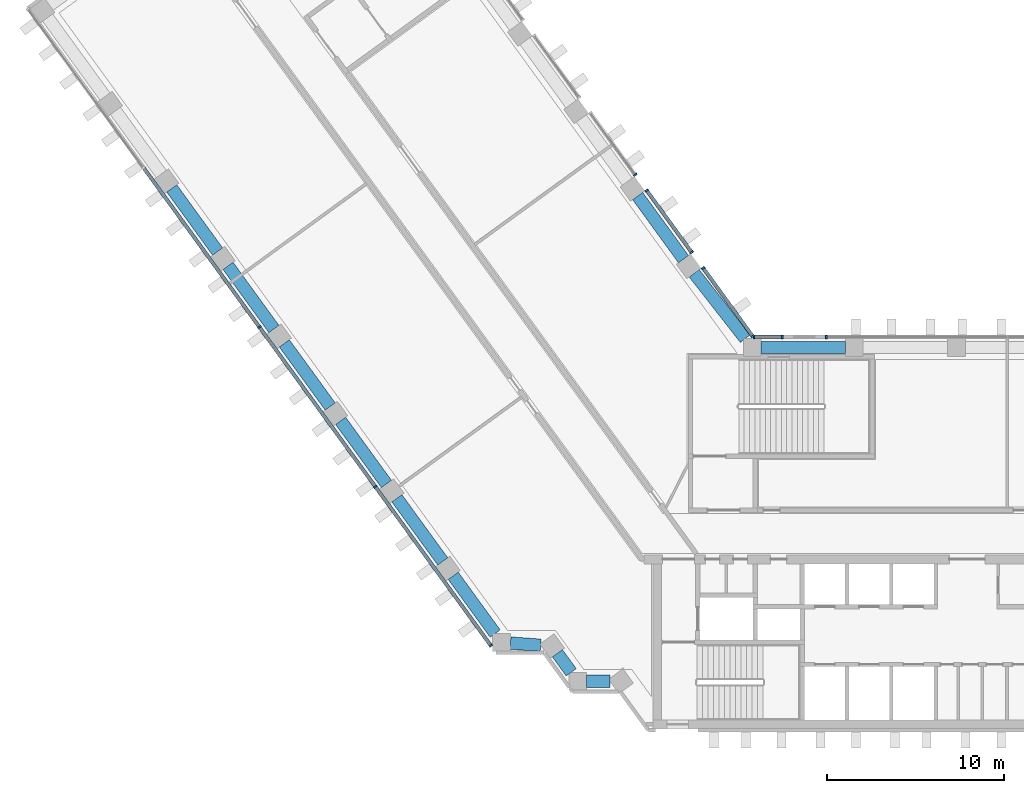
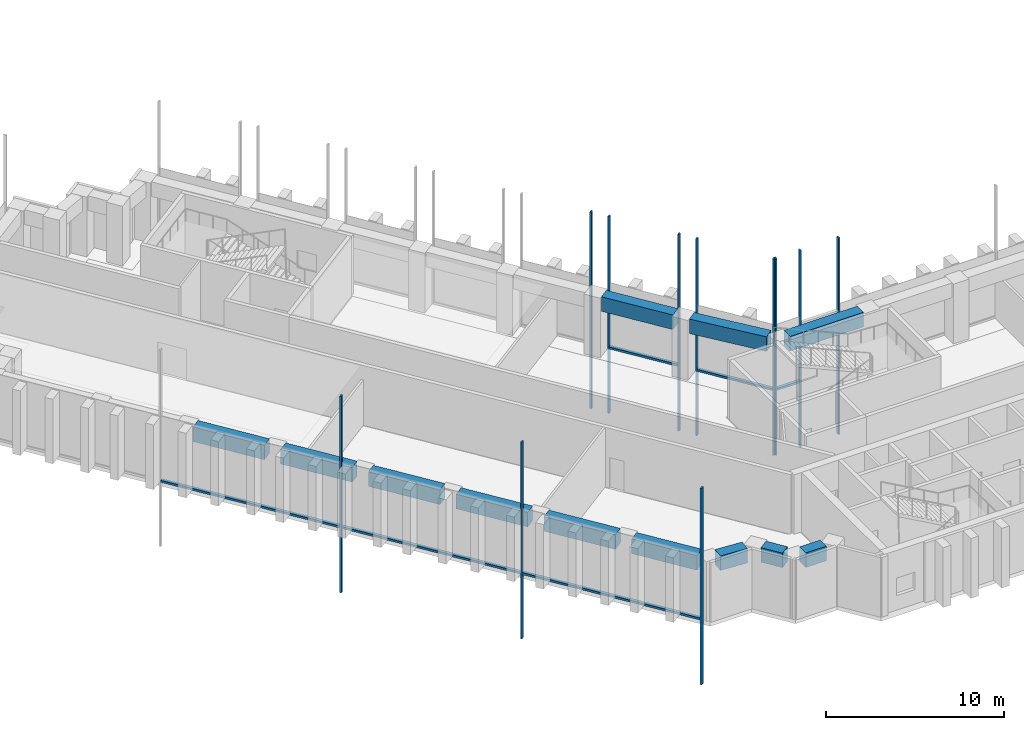
# One storey, part 2 of 18: 17 members, 12 beams, 6 elements without a shape of their own.
"""IFC4 building model written with IfcOpenShell, lengths in metres."""

import ifcopenshell
import ifcopenshell.guid

model = None  # the IFC model being written
_history = None  # IfcOwnerHistory: only IFC2X3 demands one
_inside = {}  # id of a spatial element -> (the spatial element, [elements in it])
_under = {}  # id of a project, library or spatial element -> (it, [spatial elements below it])
_declared = {}  # id of a project -> (the project, [libraries it declares])
_typed = {}  # id of a type object -> (the type object, [elements of that type])
_made_of = {}  # id of a material, layer set ... -> (it, [elements and type objects made of it])


def new_model(schema):
    """Start an empty IFC model of exactly this schema.

    Asked for "IFC4X3", IfcOpenShell would pick the latest addendum, in which some entities
    have other attributes; the version numbers below select the first issue.
    IFC2X3 requires an IfcOwnerHistory on every rooted entity: one is made here for all.
    """
    global model, _history
    if schema == "IFC4X3":
        model = ifcopenshell.file(schema_version=(4, 3, 0, 0))
    else:
        model = ifcopenshell.file(schema=schema)
    _inside.clear()
    _under.clear()
    _declared.clear()
    _typed.clear()
    _made_of.clear()
    _history = None
    if model.schema == "IFC2X3":
        org = make("IfcOrganization", Name="unknown")
        user = make(
            "IfcPersonAndOrganization",
            ThePerson=make("IfcPerson", FamilyName="unknown"),
            TheOrganization=org,
        )
        app = make(
            "IfcApplication",
            ApplicationDeveloper=org,
            Version="unknown",
            ApplicationFullName="unknown",
            ApplicationIdentifier="unknown",
        )
        _history = make(
            "IfcOwnerHistory",
            OwningUser=user,
            OwningApplication=app,
            ChangeAction="ADDED",
            CreationDate=0,
        )
    return model


def make(cls, **values):
    """One entity of the class cls with the attributes given. An attribute that is None is left unset."""
    return model.create_entity(
        cls, **{name: value for name, value in values.items() if value is not None}
    )


def rooted(cls, **values):
    """An entity with a GlobalId (a new one), such as an element, a storey or a relation."""
    return make(cls, GlobalId=ifcopenshell.guid.new(), OwnerHistory=_history, **values)


def si_unit(unit_type, name, prefix=None):
    """IfcSIUnit, for example si_unit("LENGTHUNIT", "METRE", prefix="MILLI")."""
    return make("IfcSIUnit", UnitType=unit_type, Prefix=prefix, Name=name)


def assignment(units):
    """IfcUnitAssignment: the units of a project."""
    return None if units is None else make("IfcUnitAssignment", Units=units)


def point(xyz):
    """IfcCartesianPoint."""
    return None if xyz is None else make("IfcCartesianPoint", Coordinates=xyz)


def direction(xyz):
    """IfcDirection."""
    return None if xyz is None else make("IfcDirection", DirectionRatios=xyz)


def frame(location, z_axis=None, x_axis=None):
    """IfcAxis2Placement3D, a coordinate frame: its origin and axes. An axis left out is left unset."""
    return make(
        "IfcAxis2Placement3D",
        Location=point(location),
        Axis=direction(z_axis),
        RefDirection=direction(x_axis),
    )


def frame_2d(location, x_axis=None):
    """IfcAxis2Placement2D, a coordinate frame in the plane: its origin and x axis."""
    return make(
        "IfcAxis2Placement2D", Location=point(location), RefDirection=direction(x_axis)
    )


def origin():
    """The frame at (0, 0, 0) with its axes left unset."""
    return frame((0.0, 0.0, 0.0))


def origin_2d():
    """The frame at (0, 0) in the plane with its x axis left unset."""
    return frame_2d((0.0, 0.0))


def place(relative_to, where):
    """IfcLocalPlacement: puts the frame where relative to a parent placement (None: the world)."""
    return make(
        "IfcLocalPlacement", PlacementRelTo=relative_to, RelativePlacement=where
    )


def context(
    kind, dimensions, precision=None, world=None, true_north=None, identifier=None
):
    """IfcGeometricRepresentationContext, for example the 3D "Model" context."""
    return make(
        "IfcGeometricRepresentationContext",
        ContextIdentifier=identifier,
        ContextType=kind,
        CoordinateSpaceDimension=dimensions,
        Precision=precision,
        WorldCoordinateSystem=world,
        TrueNorth=true_north,
    )


def subcontext(parent, identifier, kind, view, scale=None):
    """IfcGeometricRepresentationSubContext, for example "Body" below "Model"."""
    return make(
        "IfcGeometricRepresentationSubContext",
        ContextIdentifier=identifier,
        ContextType=kind,
        ParentContext=parent,
        TargetScale=scale,
        TargetView=view,
    )


def project(units=None, contexts=None):
    """IfcProject with its units and contexts."""
    return rooted(
        "IfcProject",
        Name="project",
        RepresentationContexts=contexts,
        UnitsInContext=assignment(units),
    )


def spatial(cls, under=None, at=None, **own):
    """A site, building, storey or space (cls), placed at a placement, below another one or the project."""
    s = rooted(cls, ObjectPlacement=at, **own)
    if under is not None:
        _under.setdefault(under.id(), (under, []))[1].append(s)
    return s


def profile(cls, at=None, kind="AREA", **sizes):
    """A parametric profile (cls). Its sizes go by their IFC names, for example OverallWidth=200.0."""
    return make(cls, ProfileType=kind, Position=at, **sizes)


def rectangle(**sizes):
    """IfcRectangleProfileDef."""
    return profile("IfcRectangleProfileDef", **sizes)


def extrude(swept, where, along, depth):
    """IfcExtrudedAreaSolid: the profile swept, set in the frame where, extruded along a direction by depth."""
    return make(
        "IfcExtrudedAreaSolid",
        SweptArea=swept,
        Position=where,
        ExtrudedDirection=direction(along),
        Depth=depth,
    )


def shape(context_of_items, identifier, shape_type, items):
    """IfcShapeRepresentation: the items that make up one representation, for example the "Body"."""
    return make(
        "IfcShapeRepresentation",
        ContextOfItems=context_of_items,
        RepresentationIdentifier=identifier,
        RepresentationType=shape_type,
        Items=items,
    )


def material(Name=None, Category=None):
    """IfcMaterial."""
    return make("IfcMaterial", Name=Name, Category=Category)


def material_profile(
    of_material, cross_section, Name=None, Category=None, Priority=None
):
    """IfcMaterialProfile: a cross section and its material."""
    return make(
        "IfcMaterialProfile",
        Name=Name,
        Material=of_material,
        Profile=cross_section,
        Priority=Priority,
        Category=Category,
    )


def profile_set(profiles, Name=None, composite=None):
    """IfcMaterialProfileSet."""
    return make(
        "IfcMaterialProfileSet",
        Name=Name,
        MaterialProfiles=profiles,
        CompositeProfile=composite,
    )


def made_of(thing, what):
    """Note that an element or type object is made of a material, layer set ...; save() writes the relation."""
    if what is not None:
        _made_of.setdefault(what.id(), (what, []))[1].append(thing)
    return thing


def type_object(cls, material=None, **own):
    """A type object (cls), such as IfcWallType, which elements share."""
    return made_of(rooted(cls, **own), material)


def element(
    cls,
    number,
    at=None,
    inside=None,
    cuts=None,
    type_object=None,
    material=None,
    context=None,
    identifier="Body",
    shape_type=None,
    held_by="IfcProductDefinitionShape",
    body=None,
    shapes=None,
    **own,
):
    """One element of the class cls, such as IfcWall. Its Tag is "e" and its number.

    at: its placement. inside: the storey or other place that contains it. cuts: it is an
    opening in that element (IfcRelVoidsElement). A single representation is given by context,
    identifier, shape_type and body (its items); several are given by shapes. held_by: the class
    of the entity that holds the representations. save() writes the other relations.
    """
    e = rooted(cls, Tag="e%d" % number, ObjectPlacement=at, **own)
    if body is not None:
        shapes = [shape(context, identifier, shape_type, body)]
    if shapes is not None:
        e.Representation = make(held_by, Representations=shapes)
    if inside is not None:
        _inside.setdefault(inside.id(), (inside, []))[1].append(e)
    if cuts is not None:
        rooted(
            "IfcRelVoidsElement", RelatingBuildingElement=cuts, RelatedOpeningElement=e
        )
    if type_object is not None:
        _typed.setdefault(type_object.id(), (type_object, []))[1].append(e)
    return made_of(e, material)


def aggregate(whole, parts):
    """IfcRelAggregates: a whole, such as a stair, and the parts it consists of."""
    return rooted("IfcRelAggregates", RelatingObject=whole, RelatedObjects=parts)


def save(model, path):
    """Write the relations noted so far, then the file.

    IfcRelAggregates (storeys below a building ...), IfcRelContainedInSpatialStructure (elements
    in a storey), IfcRelDefinesByType, IfcRelAssociatesMaterial and IfcRelDeclares: one each for
    every whole, place, type object, material and project.
    """
    for whole, parts in _under.values():
        aggregate(whole, parts)
    for where, things in _inside.values():
        rooted(
            "IfcRelContainedInSpatialStructure",
            RelatedElements=things,
            RelatingStructure=where,
        )
    for kind, things in _typed.values():
        rooted("IfcRelDefinesByType", RelatedObjects=things, RelatingType=kind)
    for what, things in _made_of.values():
        rooted("IfcRelAssociatesMaterial", RelatedObjects=things, RelatingMaterial=what)
    for by, libraries in _declared.values():
        rooted("IfcRelDeclares", RelatingContext=by, RelatedDefinitions=libraries)
    model.write(path)


model = new_model("IFC4")

# Units and contexts
model_context = context("Model", 3, precision=1e-05, world=origin(), true_north=direction((0.0, 1.0)))
body_context = subcontext(model_context, "Body", "Model", "MODEL_VIEW")
ifc_project = project(units=[si_unit("LENGTHUNIT", "METRE"), si_unit("AREAUNIT", "SQUARE_METRE"), si_unit("VOLUMEUNIT", "CUBIC_METRE"), si_unit("PLANEANGLEUNIT", "RADIAN"), si_unit("MASSUNIT", "GRAM", prefix="KILO")], contexts=[model_context])

# Site, building, storey
site_placement = place(None, origin())
site = spatial("IfcSite", under=ifc_project, at=site_placement, CompositionType="ELEMENT")
building_placement = place(site_placement, origin())
building = spatial("IfcBuilding", under=site, at=building_placement, Name="Quipu Civic Tower", CompositionType="ELEMENT")
storey_placement = place(building_placement, frame((0.0, 0.0, 16.0)))
storey = spatial("IfcBuildingStorey", under=building, at=storey_placement, Name="L03", CompositionType="ELEMENT", Elevation=16.0)

# Curtain wall, members
ifc_material_1 = material(Name="Insulated glass unit", Category="glass")
curtain_wall_type = type_object("IfcCurtainWallType", Name="Public services curtain wall CW3", PredefinedType="NOTDEFINED", material=ifc_material_1)
curtain_wall_1_placement = place(storey_placement, origin())
curtain_wall_1 = element("IfcCurtainWall", 1, at=curtain_wall_1_placement, inside=storey, type_object=curtain_wall_type, Name="Public services curtain wall CW3 L02 run 1", PredefinedType="NOTDEFINED")
ifc_material_2 = material(Name="Anodised aluminium", Category="aluminium")
ifc_material_profile_1 = material_profile(ifc_material_2, rectangle(XDim=0.199951171875, YDim=0.10009765625, at=origin_2d()), Name="RECT 200x100")
ifc_profile_set_1 = profile_set([ifc_material_profile_1], Name="Anodised aluminium")
member_type_1 = type_object("IfcMemberType", Name="Mullion CW3", PredefinedType="MULLION", material=ifc_profile_set_1)
member_1_placement = place(storey_placement, frame((-14.37353515625, 11.140380859375, -4.429931640625), z_axis=(0.0, 0.0, 1.0), x_axis=(-0.809009770629, -0.587795194797, 0.0)))
member_1 = element("IfcMember", 2, at=member_1_placement, type_object=member_type_1, Name="CW3 mullion 1", PredefinedType="MULLION", context=body_context, shape_type="SweptSolid", body=[
    extrude(rectangle(XDim=0.199951171875, YDim=0.10009765625, at=origin_2d()), origin(), (0.0, 0.0, 1.0), 13.5),
])
member_2_placement = place(storey_placement, frame((-17.1650390625, 14.982666015625, -4.429931640625), z_axis=(0.0, 0.0, 1.0), x_axis=(-0.809009770629, -0.587795194797, 0.0)))
member_2 = element("IfcMember", 3, at=member_2_placement, type_object=member_type_1, Name="CW3 mullion 2", PredefinedType="MULLION", context=body_context, shape_type="SweptSolid", body=[
    extrude(rectangle(XDim=0.199951171875, YDim=0.10009765625, at=origin_2d()), origin(), (0.0, 0.0, 1.0), 13.5),
])

curtain_wall_2_placement = place(storey_placement, origin())
curtain_wall_2 = element("IfcCurtainWall", 4, at=curtain_wall_2_placement, inside=storey, type_object=curtain_wall_type, Name="Public services curtain wall CW3 L02 run 2", PredefinedType="NOTDEFINED")
member_3_placement = place(storey_placement, frame((-17.8115234375, 15.87255859375, -4.429931640625), z_axis=(0.0, 0.0, 1.0), x_axis=(-0.809006271283, -0.587800011079, 0.0)))
member_3 = element("IfcMember", 5, at=member_3_placement, type_object=member_type_1, Name="CW3 mullion 1", PredefinedType="MULLION", context=body_context, shape_type="SweptSolid", body=[
    extrude(rectangle(XDim=0.199951171875, YDim=0.10009765625, at=origin_2d()), origin(), (0.0, 0.0, 1.0), 13.5),
])
member_4_placement = place(storey_placement, frame((-20.339111328125, 19.351318359375, -4.429931640625), z_axis=(0.0, 0.0, 1.0), x_axis=(-0.809006271283, -0.587800011079, 0.0)))
member_4 = element("IfcMember", 6, at=member_4_placement, type_object=member_type_1, Name="CW3 mullion 2", PredefinedType="MULLION", context=body_context, shape_type="SweptSolid", body=[
    extrude(rectangle(XDim=0.199951171875, YDim=0.10009765625, at=origin_2d()), origin(), (0.0, 0.0, 1.0), 13.5),
])

# Curtain wall, member
curtain_wall_3_placement = place(storey_placement, origin())
curtain_wall_3 = element("IfcCurtainWall", 7, at=curtain_wall_3_placement, inside=storey, type_object=curtain_wall_type, Name="Public services curtain wall CW3 L02 run 3", PredefinedType="NOTDEFINED")
member_5_placement = place(storey_placement, frame((-20.985595703125, 20.2412109375, -4.429931640625), z_axis=(0.0, 0.0, 1.0), x_axis=(-0.809024930992, -0.587774328321, 0.0)))
member_5 = element("IfcMember", 8, at=member_5_placement, type_object=member_type_1, Name="CW3 mullion 1", PredefinedType="MULLION", context=body_context, shape_type="SweptSolid", body=[
    extrude(rectangle(XDim=0.199951171875, YDim=0.10009765625, at=origin_2d()), origin(), (0.0, 0.0, 1.0), 13.5),
])
aggregate(curtain_wall_3, [member_5])

# Curtain wall, members
curtain_wall_4_placement = place(storey_placement, origin())
curtain_wall_4 = element("IfcCurtainWall", 9, at=curtain_wall_4_placement, inside=storey, type_object=curtain_wall_type, Name="Public services curtain wall CW3 L02 run 18", PredefinedType="NOTDEFINED")
member_6_placement = place(storey_placement, frame((-42.179931640625, 11.6435546875, -4.429931640625), z_axis=(0.0, 0.0, 1.0), x_axis=(0.809016918788, 0.587785356329, 0.0)))
member_6 = element("IfcMember", 10, at=member_6_placement, type_object=member_type_1, Name="CW3 mullion 3", PredefinedType="MULLION", context=body_context, shape_type="SweptSolid", body=[
    extrude(rectangle(XDim=0.199951171875, YDim=0.10009765625, at=origin_2d()), origin(), (0.0, 0.0, 1.0), 13.5),
])
member_7_placement = place(storey_placement, frame((-35.64306640625, 2.646240234375, -4.429931640625), z_axis=(0.0, 0.0, 1.0), x_axis=(0.809016918788, 0.587785356329, 0.0)))
member_7 = element("IfcMember", 11, at=member_7_placement, type_object=member_type_1, Name="CW3 mullion 4", PredefinedType="MULLION", context=body_context, shape_type="SweptSolid", body=[
    extrude(rectangle(XDim=0.199951171875, YDim=0.10009765625, at=origin_2d()), origin(), (0.0, 0.0, 1.0), 13.5),
])
member_8_placement = place(storey_placement, frame((-29.13525390625, -6.310791015625, -4.429931640625), z_axis=(0.0, 0.0, 1.0), x_axis=(0.809016918788, 0.587785356329, 0.0)))
member_8 = element("IfcMember", 12, at=member_8_placement, type_object=member_type_1, Name="CW3 mullion 5", PredefinedType="MULLION", context=body_context, shape_type="SweptSolid", body=[
    extrude(rectangle(XDim=0.199951171875, YDim=0.10009765625, at=origin_2d()), origin(), (0.0, 0.0, 1.0), 13.5),
])

# Curtain wall, member
curtain_wall_5_placement = place(storey_placement, origin())
curtain_wall_5 = element("IfcCurtainWall", 13, at=curtain_wall_5_placement, inside=storey, type_object=curtain_wall_type, Name="Public services curtain wall CW3 L02 run 52", PredefinedType="NOTDEFINED")
member_9_placement = place(storey_placement, frame((-10.21337890625, 11.10009765625, -4.429931640625), z_axis=(0.0, 0.0, 1.0), x_axis=(0.0, -1.0, 0.0)))
member_9 = element("IfcMember", 14, at=member_9_placement, type_object=member_type_1, Name="CW3 mullion 3", PredefinedType="MULLION", context=body_context, shape_type="SweptSolid", body=[
    extrude(rectangle(XDim=0.199951171875, YDim=0.10009765625, at=origin_2d()), origin(), (0.0, 0.0, 1.0), 13.5),
])
aggregate(curtain_wall_5, [member_9])

# Curtain wall, members
curtain_wall_6_placement = place(storey_placement, origin())
curtain_wall_6 = element("IfcCurtainWall", 15, at=curtain_wall_6_placement, inside=storey, type_object=curtain_wall_type, Name="Public services curtain wall CW3 L02 run 54", PredefinedType="NOTDEFINED")
member_10_placement = place(storey_placement, frame((-12.705078125, 11.10009765625, -4.429931640625), z_axis=(0.0, 0.0, 1.0), x_axis=(0.0, -1.0, 0.0)))
member_10 = element("IfcMember", 16, at=member_10_placement, type_object=member_type_1, Name="CW3 mullion 1", PredefinedType="MULLION", context=body_context, shape_type="SweptSolid", body=[
    extrude(rectangle(XDim=0.199951171875, YDim=0.10009765625, at=origin_2d()), origin(), (0.0, 0.0, 1.0), 13.5),
])
member_11_placement = place(storey_placement, frame((-14.294189453125, 11.10009765625, -4.429931640625), z_axis=(0.0, 0.0, 1.0), x_axis=(0.0, -1.0, 0.0)))
member_11 = element("IfcMember", 17, at=member_11_placement, type_object=member_type_1, Name="CW3 mullion 2", PredefinedType="MULLION", context=body_context, shape_type="SweptSolid", body=[
    extrude(rectangle(XDim=0.199951171875, YDim=0.10009765625, at=origin_2d()), origin(), (0.0, 0.0, 1.0), 13.5),
])

# Beams
ifc_material_3 = material(Name="Concrete C50/60", Category="concrete")
ifc_material_profile_2 = material_profile(ifc_material_3, rectangle(XDim=0.699951171875, YDim=1.0, at=origin_2d()), Name="RC700x1000")
ifc_profile_set_2 = profile_set([ifc_material_profile_2], Name="Concrete C50/60")
beam_type = type_object("IfcBeamType", Name="Spandrel beam RC 700x1000 C50/60", PredefinedType="SPANDREL", material=ifc_profile_set_2)
for number, where, z_axis, x_axis, name in (
    (18, (-18.267578125, 15.4794921875, 3.60009765625), (-0.587722908759, 0.809062285934, 0.0), (-0.809062285934, -0.587722908759, 0.0), "Spandrel beam L03 W-IN-01 to W-IN-02"),
    (19, (-47.12451171875, 19.47021484375, 3.60009765625), (0.587785613349, -0.809016732052, 0.0), (0.809016732052, 0.587785613349, 0.0), "Spandrel beam L03 W-OUT-06 to W-OUT-05"),
):
    element("IfcBeam", number, at=place(storey_placement, frame(where, z_axis=z_axis, x_axis=x_axis)), inside=storey, type_object=beam_type, Name=name, PredefinedType="SPANDREL", context=body_context, shape_type="SweptSolid", body=[
        extrude(rectangle(XDim=0.699951171875, YDim=1.0, at=origin_2d()), origin(), (0.0, 0.0, 1.0), 4.39990234375),
    ])
for number, where, z_axis, x_axis, name in (
    (20, (-43.950439453125, 15.101806640625, 3.60009765625), (0.587759228046, -0.809035901457, 0.0), (0.809035901457, 0.587759228046, 0.0), "Spandrel beam L03 W-OUT-05 to W-OUT-04"),
    (21, (-40.776611328125, 10.73291015625, 3.60009765625), (0.58779554378, -0.809009517072, 0.0), (0.809009517072, 0.58779554378, 0.0), "Spandrel beam L03 W-OUT-04 to W-OUT-03"),
    (22, (-37.602294921875, 6.3642578125, 3.60009765625), (0.587759228046, -0.809035901457, 0.0), (0.809035901457, 0.587759228046, 0.0), "Spandrel beam L03 W-OUT-03 to W-OUT-02"),
    (23, (-34.428466796875, 1.99560546875, 3.60009765625), (0.587759228046, -0.809035901457, 0.0), (0.809035901457, 0.587759228046, 0.0), "Spandrel beam L03 W-OUT-02 to W-OUT-01"),
):
    element("IfcBeam", number, at=place(storey_placement, frame(where, z_axis=z_axis, x_axis=x_axis)), inside=storey, type_object=beam_type, Name=name, PredefinedType="SPANDREL", context=body_context, shape_type="SweptSolid", body=[
        extrude(rectangle(XDim=0.699951171875, YDim=1.0, at=origin_2d()), origin(), (0.0, 0.0, 1.0), 4.400146484375),
    ])
beam_1_placement = place(storey_placement, frame((-31.25439453125, -2.373291015625, 3.60009765625), z_axis=(0.587811022966, -0.808998270258, 0.0), x_axis=(0.808998270258, 0.587811022966, 0.0)))
element("IfcBeam", 24, at=beam_1_placement, inside=storey, type_object=beam_type, Name="Spandrel beam L03 W-OUT-01 to J-Wo.0", PredefinedType="SPANDREL", context=body_context, shape_type="SweptSolid", body=[
    extrude(rectangle(XDim=0.699951171875, YDim=1.0, at=origin_2d()), origin(), (0.0, 0.0, 1.0), 4.025390625),
])
beam_2_placement = place(storey_placement, frame((-28.02490234375, -6.166259765625, 3.60009765625), z_axis=(0.99737429836, -0.072418982124, 0.0), x_axis=(0.072418982124, 0.99737429836, 0.0)))
element("IfcBeam", 25, at=beam_2_placement, inside=storey, type_object=beam_type, Name="Spandrel beam L03 J-Wo.0 to J-Wo.1", PredefinedType="SPANDREL", context=body_context, shape_type="SweptSolid", body=[
    extrude(rectangle(XDim=0.699951171875, YDim=1.0, at=origin_2d()), origin(), (0.0, 0.0, 1.0), 1.702392578125),
])
beam_3_placement = place(storey_placement, frame((-25.380126953125, -6.7412109375, 3.60009765625), z_axis=(0.588346597772, -0.808608855313, 0.0), x_axis=(0.808608855313, 0.588346597772, 0.0)))
element("IfcBeam", 26, at=beam_3_placement, inside=storey, type_object=beam_type, Name="Spandrel beam L03 J-Wo.1 to J-Wo.2", PredefinedType="SPANDREL", context=body_context, shape_type="SweptSolid", body=[
    extrude(rectangle(XDim=0.699951171875, YDim=1.0, at=origin_2d()), origin(), (0.0, 0.0, 1.0), 1.327880859375),
])
beam_4_placement = place(storey_placement, frame((-23.735107421875, -8.31494140625, 3.60009765625), z_axis=(1.0, 0.0, 0.0), x_axis=(0.0, 1.0, 0.0)))
element("IfcBeam", 27, at=beam_4_placement, inside=storey, type_object=beam_type, Name="Spandrel beam L03 J-Wo.2 to J-Wo.3", PredefinedType="SPANDREL", context=body_context, shape_type="SweptSolid", body=[
    extrude(rectangle(XDim=0.699951171875, YDim=1.0, at=origin_2d()), origin(), (0.0, 0.0, 1.0), 1.3251953125),
])
beam_5_placement = place(storey_placement, frame((-9.13720703125, 10.5, 3.60009765625), z_axis=(-1.0, 0.0, 0.0), x_axis=(0.0, -1.0, 0.0)))
element("IfcBeam", 28, at=beam_5_placement, inside=storey, type_object=beam_type, Name="Spandrel beam L03 FRONT-04 to J-Wi.0", PredefinedType="SPANDREL", context=body_context, shape_type="SweptSolid", body=[
    extrude(rectangle(XDim=0.699951171875, YDim=1.0, at=origin_2d()), origin(), (0.0, 0.0, 1.0), 4.758056640625),
])
beam_6_placement = place(storey_placement, frame((-14.786376953125, 11.0, 3.60009765625), z_axis=(-0.616068753057, 0.787692383806, 0.0), x_axis=(-0.787692383806, -0.616068753057, 0.0)))
element("IfcBeam", 29, at=beam_6_placement, inside=storey, type_object=beam_type, Name="Spandrel beam L03 J-Wi.0 to W-IN-01", PredefinedType="SPANDREL", context=body_context, shape_type="SweptSolid", body=[
    extrude(rectangle(XDim=0.699951171875, YDim=1.0, at=origin_2d()), origin(), (0.0, 0.0, 1.0), 4.673095703125),
])

# Member
ifc_material_4 = material(Name="Anodised aluminium", Category="aluminium")
ifc_material_profile_3 = material_profile(ifc_material_4, rectangle(XDim=0.199951171875, YDim=0.139892578125, at=origin_2d()), Name="RECT 200x140")
ifc_profile_set_3 = profile_set([ifc_material_profile_3], Name="Anodised aluminium")
member_type_2 = type_object("IfcMemberType", Name="Transom CW3", PredefinedType="USERDEFINED", material=ifc_profile_set_3)
member_12_placement = place(storey_placement, frame((-14.403076171875, 11.180908203125, 0.070068359375), z_axis=(-0.587781327652, 0.809019845779, 0.0), x_axis=(-0.809019845779, -0.587781327652, 0.0)))
member_12 = element("IfcMember", 30, at=member_12_placement, type_object=member_type_2, Name="CW3 transom 1.2", ObjectType="TRANSOM", PredefinedType="USERDEFINED", context=body_context, shape_type="SweptSolid", body=[
    extrude(rectangle(XDim=0.199951171875, YDim=0.139892578125, at=origin_2d()), origin(), (0.0, 0.0, 1.0), 4.649169921875),
])

aggregate(curtain_wall_1, [member_1, member_2, member_12])

member_13_placement = place(storey_placement, frame((-17.841064453125, 15.9130859375, 0.070068359375), z_axis=(-0.587812175236, 0.808997433027, 0.0), x_axis=(-0.808997433027, -0.587812175236, 0.0)))
member_13 = element("IfcMember", 31, at=member_13_placement, type_object=member_type_2, Name="CW3 transom 1.2", ObjectType="TRANSOM", PredefinedType="USERDEFINED", context=body_context, shape_type="SweptSolid", body=[
    extrude(rectangle(XDim=0.199951171875, YDim=0.139892578125, at=origin_2d()), origin(), (0.0, 0.0, 1.0), 4.199951171875),
])

aggregate(curtain_wall_2, [member_3, member_4, member_13])

member_14_placement = place(storey_placement, frame((-48.687744140625, 20.6005859375, 0.070068359375), z_axis=(0.587788351912, -0.80901474236, 0.0), x_axis=(0.80901474236, 0.587788351912, 0.0)))
member_14 = element("IfcMember", 32, at=member_14_placement, type_object=member_type_2, Name="CW3 transom 2.2", ObjectType="TRANSOM", PredefinedType="USERDEFINED", context=body_context, shape_type="SweptSolid", body=[
    extrude(rectangle(XDim=0.199951171875, YDim=0.139892578125, at=origin_2d()), origin(), (0.0, 0.0, 1.0), 11.021484375),
])

member_15_placement = place(storey_placement, frame((-42.150634765625, 11.603271484375, 0.070068359375), z_axis=(0.587777818391, -0.809022395368, 0.0), x_axis=(0.809022395368, 0.587777818391, 0.0)))
member_15 = element("IfcMember", 33, at=member_15_placement, type_object=member_type_2, Name="CW3 transom 3.2", ObjectType="TRANSOM", PredefinedType="USERDEFINED", context=body_context, shape_type="SweptSolid", body=[
    extrude(rectangle(XDim=0.199951171875, YDim=0.139892578125, at=origin_2d()), origin(), (0.0, 0.0, 1.0), 11.021728515625),
])

member_16_placement = place(storey_placement, frame((-35.613525390625, 2.605712890625, 0.070068359375), z_axis=(0.587772046886, -0.8090265885, 0.0), x_axis=(0.8090265885, 0.587772046886, 0.0)))
member_16 = element("IfcMember", 34, at=member_16_placement, type_object=member_type_2, Name="CW3 transom 4.2", ObjectType="TRANSOM", PredefinedType="USERDEFINED", context=body_context, shape_type="SweptSolid", body=[
    extrude(rectangle(XDim=0.199951171875, YDim=0.139892578125, at=origin_2d()), origin(), (0.0, 0.0, 1.0), 10.971435546875),
])

aggregate(curtain_wall_4, [member_6, member_7, member_8, member_14, member_15, member_16])

member_17_placement = place(storey_placement, frame((-12.7548828125, 11.10009765625, 0.070068359375), z_axis=(-1.0, 0.0, 0.0), x_axis=(0.0, -1.0, 0.0)))
member_17 = element("IfcMember", 35, at=member_17_placement, type_object=member_type_2, Name="CW3 transom 1.2", ObjectType="TRANSOM", PredefinedType="USERDEFINED", context=body_context, shape_type="SweptSolid", body=[
    extrude(rectangle(XDim=0.199951171875, YDim=0.139892578125, at=origin_2d()), origin(), (0.0, 0.0, 1.0), 1.4892578125),
])

aggregate(curtain_wall_6, [member_10, member_11, member_17])

save(model, "model.ifc")
